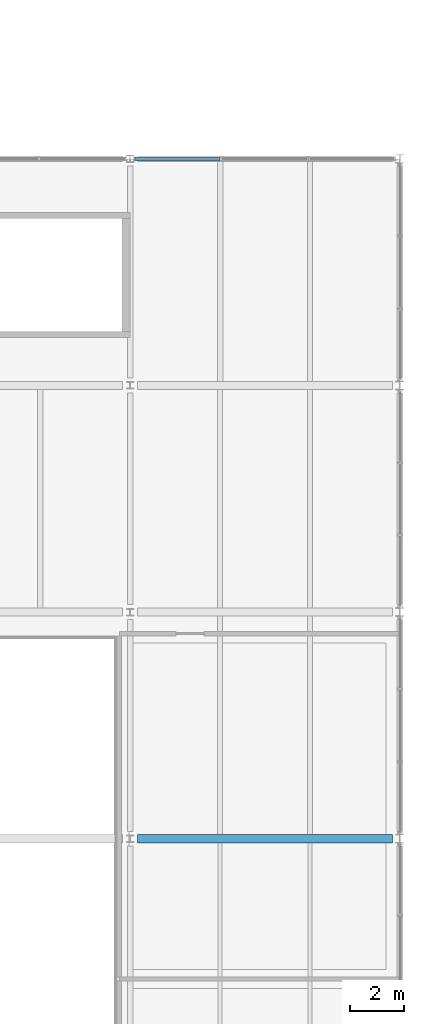
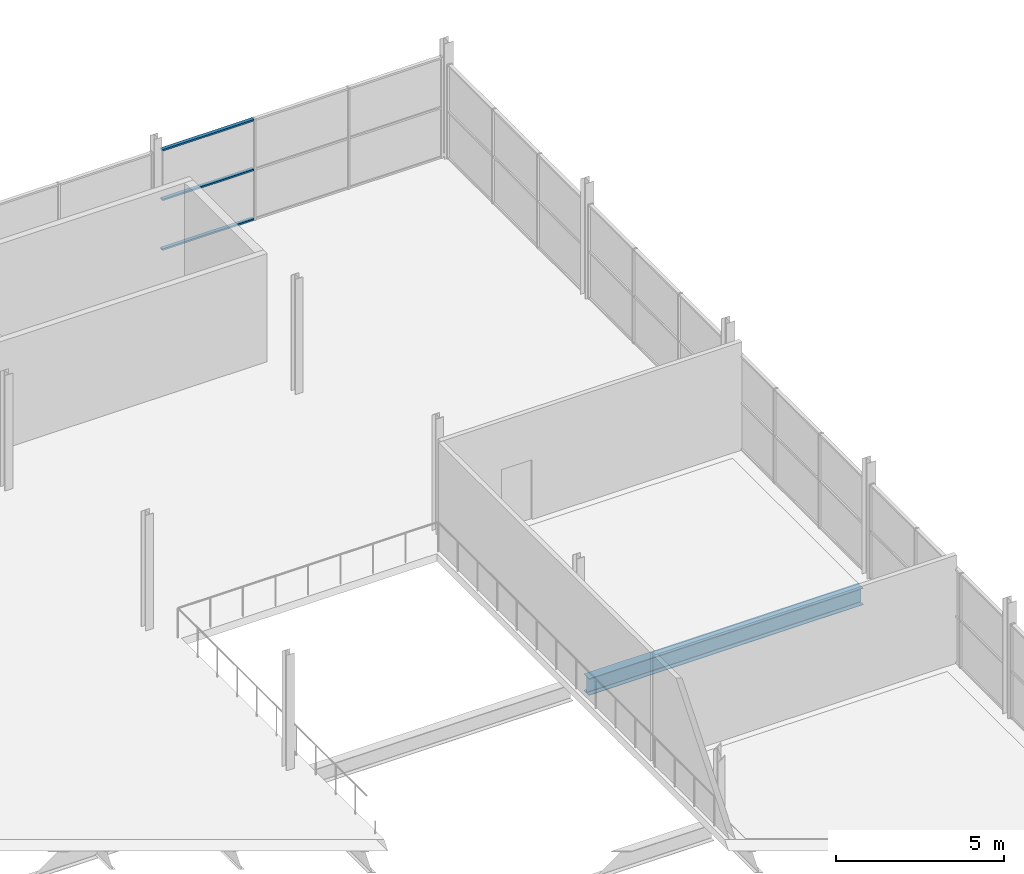
# One storey, part 118 of 161: 3 members, 1 beam, 1 element without a shape of its own.
"""IFC4 building model written with IfcOpenShell, lengths in metres."""

from ifc_helpers import new_model, si_unit, direction, frame, origin, origin_2d, place, context, subcontext, project, spatial, hollow_rectangle, i_section, extrude, material, material_profile, profile_set, type_object, element, aggregate, save


model = new_model("IFC4")

# Units and contexts
model_context = context("Model", 3, precision=1e-05, world=origin(), true_north=direction((0.0, 1.0)))
body_context = subcontext(model_context, "Body", "Model", "MODEL_VIEW")
ifc_project = project(units=[si_unit("LENGTHUNIT", "METRE"), si_unit("AREAUNIT", "SQUARE_METRE"), si_unit("VOLUMEUNIT", "CUBIC_METRE"), si_unit("PLANEANGLEUNIT", "RADIAN"), si_unit("MASSUNIT", "GRAM", prefix="KILO"), si_unit("THERMODYNAMICTEMPERATUREUNIT", "KELVIN")], contexts=[model_context])

# Site, building, storey
site_placement = place(None, origin())
site = spatial("IfcSite", under=ifc_project, at=site_placement, CompositionType="ELEMENT")
building_placement = place(site_placement, origin())
building = spatial("IfcBuilding", under=site, at=building_placement, Name="Nduvali Passage Aquatics Centre", CompositionType="ELEMENT")
storey_placement = place(building_placement, frame((0.0, 0.0, 4.800048828125)))
storey = spatial("IfcBuildingStorey", under=building, at=storey_placement, Name="L01", CompositionType="ELEMENT", Elevation=4.800048828125)

# Curtain wall, members
ifc_material_1 = material(Name="Aluminium EN AW-6063 T6", Category="aluminium")
curtain_wall_type = type_object("IfcCurtainWallType", Name="ENV-CW-PASS", PredefinedType="NOTDEFINED", material=ifc_material_1)
curtain_wall_placement = place(storey_placement, origin())
curtain_wall = element("IfcCurtainWall", 1, at=curtain_wall_placement, inside=storey, type_object=curtain_wall_type, Name="L01 North Cafe Upper CW 098", PredefinedType="NOTDEFINED")
ifc_material_profile_1 = material_profile(ifc_material_1, hollow_rectangle(XDim=0.1201171875, YDim=0.06005859375, WallThickness=0.00390625, at=origin_2d()), Name="ALU TRANSOM 120x60x4")
ifc_profile_set_1 = profile_set([ifc_material_profile_1], Name="Aluminium EN AW-6063 T6")
member_type = type_object("IfcMemberType", Name="ENV-MEM-TRN60", PredefinedType="USERDEFINED", material=ifc_profile_set_1)
member_1_placement = place(storey_placement, frame((158.18798828125, 92.39990234375, 0.030029296875), z_axis=(1.0, 0.0, 0.0), x_axis=(0.0, 1.0, 0.0)))
member_1 = element("IfcMember", 2, at=member_1_placement, type_object=member_type, Name="North Cafe Upper CW Transom B1-R0", ObjectType="TRANSOM", PredefinedType="USERDEFINED", context=body_context, shape_type="SweptSolid", body=[
    extrude(hollow_rectangle(XDim=0.1201171875, YDim=0.06005859375, WallThickness=0.00390625, at=origin_2d()), origin(), (0.0, 0.0, 1.0), 3.150634765625),
])
member_2_placement = place(storey_placement, frame((158.18798828125, 92.39990234375, 1.837890625), z_axis=(1.0, 0.0, 0.0), x_axis=(0.0, 1.0, 0.0)))
member_2 = element("IfcMember", 3, at=member_2_placement, type_object=member_type, Name="North Cafe Upper CW Transom B1-R1", ObjectType="TRANSOM", PredefinedType="USERDEFINED", context=body_context, shape_type="SweptSolid", body=[
    extrude(hollow_rectangle(XDim=0.1201171875, YDim=0.06005859375, WallThickness=0.00390625, at=origin_2d()), origin(), (0.0, 0.0, 1.0), 3.150634765625),
])
member_3_placement = place(storey_placement, frame((158.18798828125, 92.39990234375, 3.64599609375), z_axis=(1.0, 0.0, 0.0), x_axis=(0.0, 1.0, 0.0)))
member_3 = element("IfcMember", 4, at=member_3_placement, type_object=member_type, Name="North Cafe Upper CW Transom B1-R2", ObjectType="TRANSOM", PredefinedType="USERDEFINED", context=body_context, shape_type="SweptSolid", body=[
    extrude(hollow_rectangle(XDim=0.1201171875, YDim=0.06005859375, WallThickness=0.00390625, at=origin_2d()), origin(), (0.0, 0.0, 1.0), 3.150634765625),
])
aggregate(curtain_wall, [member_1, member_2, member_3])

# Beam
ifc_material_2 = material(Name="Steel S355", Category="steel")
ifc_material_profile_2 = material_profile(ifc_material_2, i_section(OverallWidth=0.3046875, OverallDepth=0.6123046875, WebThickness=0.01171875, FlangeThickness=0.019775390625, FilletRadius=0.0166015625, at=origin_2d()), Name="UKB 610x305x149")
ifc_profile_set_2 = profile_set([ifc_material_profile_2], Name="Steel S355")
beam_type = type_object("IfcBeamType", Name="STR-BM-UKB610W", PredefinedType="BEAM", material=ifc_profile_set_2)
beam_placement = place(storey_placement, frame((158.27490234375, 67.199951171875, -0.59033203125), z_axis=(1.0, 0.0, 0.0), x_axis=(0.0, 1.0, 0.0)))
element("IfcBeam", 5, at=beam_placement, inside=storey, type_object=beam_type, Name="L01 Primary X-Girder B5A-0498", PredefinedType="BEAM", context=body_context, shape_type="SweptSolid", body=[
    extrude(i_section(OverallWidth=0.3046875, OverallDepth=0.6123046875, WebThickness=0.01171875, FlangeThickness=0.019775390625, FilletRadius=0.0166015625, at=origin_2d()), origin(), (0.0, 0.0, 1.0), 9.4501953125),
])

save(model, "model.ifc")
